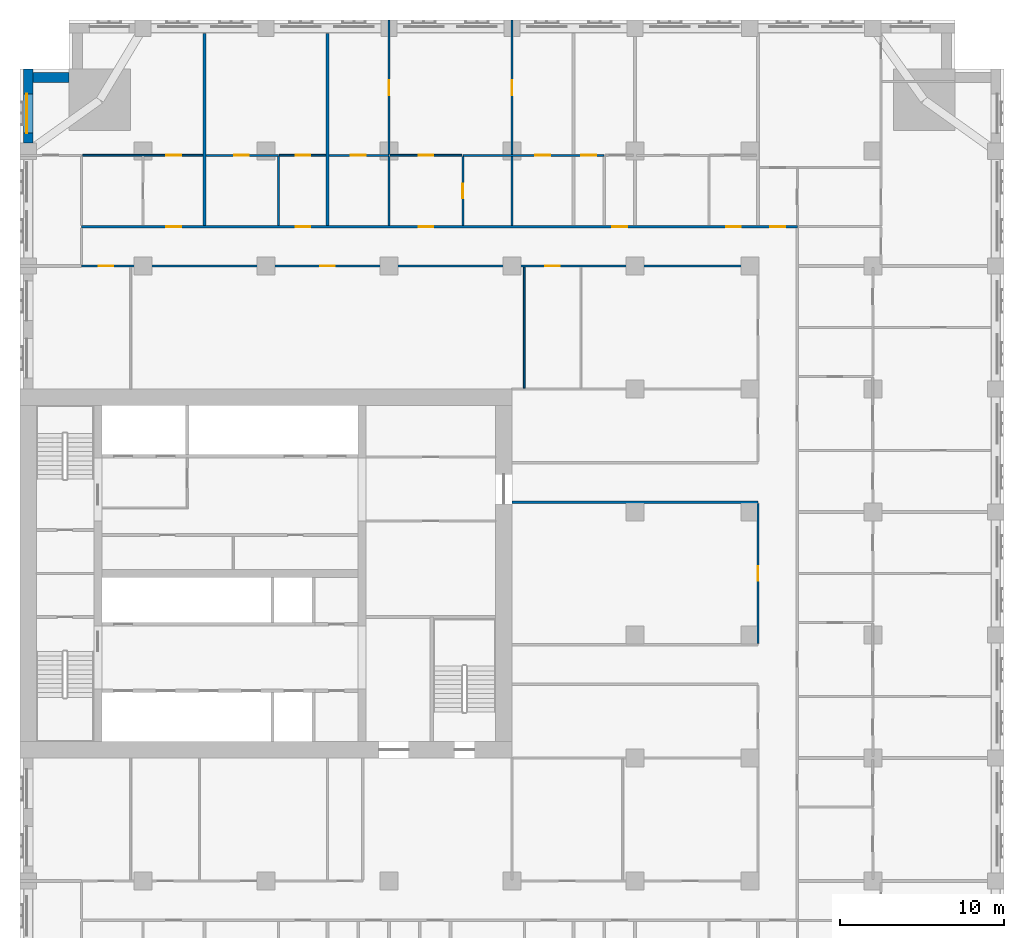
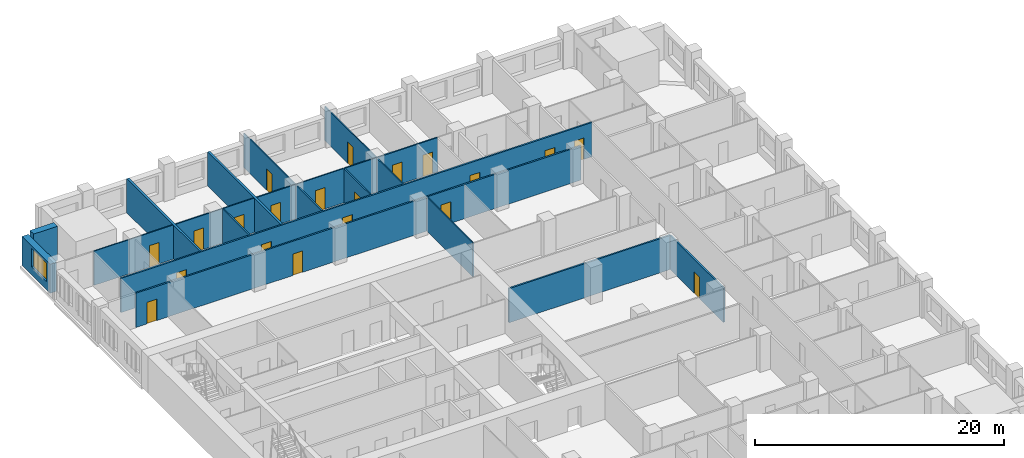
# One storey, part 9 of 14: 21 walls, 20 doors, 1 window, 21 openings.
"""IFC4 building model written with IfcOpenShell, lengths in metres."""

from ifc_helpers import new_model, si_unit, direction, frame, frame_2d, origin, place, context, subcontext, project, spatial, rectangle, extrude, material, layer, layer_set, type_object, element, fill, save


model = new_model("IFC4")

# Units and contexts
model_context = context("Model", 3, precision=1e-05, world=origin(), true_north=direction((0.0, 1.0)))
body_context = subcontext(model_context, "Body", "Model", "MODEL_VIEW")
ifc_project = project(units=[si_unit("LENGTHUNIT", "METRE"), si_unit("AREAUNIT", "SQUARE_METRE"), si_unit("VOLUMEUNIT", "CUBIC_METRE"), si_unit("PLANEANGLEUNIT", "RADIAN"), si_unit("MASSUNIT", "GRAM", prefix="KILO")], contexts=[model_context])

# Site, building, storey
site_placement = place(None, origin())
site = spatial("IfcSite", under=ifc_project, at=site_placement, CompositionType="ELEMENT")
building_placement = place(site_placement, origin())
building = spatial("IfcBuilding", under=site, at=building_placement, Name="Tamorin Gate", CompositionType="ELEMENT")
storey_placement = place(building_placement, frame((0.0, 0.0, 104.300048828125)))
storey = spatial("IfcBuildingStorey", under=building, at=storey_placement, Name="L25", CompositionType="ELEMENT", Elevation=104.300048828125)

# Wall
ifc_material_1 = material(Name="Precast concrete C40/50", Category="concrete")
ifc_layer_1 = layer(ifc_material_1, 0.60009765625)
ifc_layer_set_1 = layer_set([ifc_layer_1], Name="Precast concrete C40/50")
wall_type_1 = type_object("IfcWallType", Name="Board-marked concrete facade panel 600", PredefinedType="SOLIDWALL", material=ifc_layer_set_1)
wall_1_placement = place(storey_placement, frame((33.0, 101.5, 0.0), z_axis=(0.0, 0.0, 1.0), x_axis=(-1.0, 0.0, 0.0)))
element("IfcWall", 1, at=wall_1_placement, inside=storey, type_object=wall_type_1, Name="Facade panel", PredefinedType="SOLIDWALL", context=body_context, shape_type="SweptSolid", body=[
    extrude(rectangle(XDim=2.199951171875, YDim=0.60009765625, at=frame_2d((1.10009765625, 0.0))), origin(), (0.0, 0.0, 1.0), 3.349853515625),
])

# Wall, opening, window
wall_2_placement = place(storey_placement, frame((30.5, 102.0, 0.0), z_axis=(0.0, 0.0, 1.0), x_axis=(0.0, -1.0, 0.0)))
wall_2 = element("IfcWall", 2, at=wall_2_placement, inside=storey, type_object=wall_type_1, Name="Facade panel", PredefinedType="SOLIDWALL", context=body_context, shape_type="SweptSolid", body=[
    extrude(rectangle(XDim=4.5, YDim=0.60009765625, at=frame_2d((2.25, 0.0))), origin(), (0.0, 0.0, 1.0), 2.849853515625),
])
opening_1_placement = place(wall_2_placement, frame((1.5, 0.0, 0.800048828125)))
opening_1 = element("IfcOpeningElement", 3, at=opening_1_placement, cuts=wall_2, Name="Opening WN1", PredefinedType="OPENING", context=body_context, shape_type="SweptSolid", body=[
    extrude(rectangle(XDim=2.39990234375, YDim=1.800048828125, at=frame_2d((1.199951171875, 0.89990234375))), frame((0.0, 0.31005859375, 0.0), z_axis=(0.0, -1.0, 0.0), x_axis=(1.0, 0.0, 0.0)), (0.0, 0.0, 1.0), 0.6201171875),
])
ifc_material_2 = material(Name="Clear glass in aluminium frame", Category="aluminium")
window_type = type_object("IfcWindowType", Name="Deep-set window 2400x1800", PartitioningType="SINGLE_PANEL", PredefinedType="WINDOW", material=ifc_material_2)
window_placement = place(opening_1_placement, origin())
window = element("IfcWindow", 4, at=window_placement, inside=storey, type_object=window_type, Name="Deep-set window", OverallHeight=1.800048828125, OverallWidth=2.39990234375, PartitioningType="SINGLE_PANEL", PredefinedType="WINDOW", context=body_context, shape_type="SweptSolid", body=[
    extrude(rectangle(XDim=2.39990234375, YDim=1.800048828125, at=frame_2d((1.199951171875, 0.89990234375))), frame((0.0, -0.070068359375, 0.0), z_axis=(0.0, -1.0, 0.0), x_axis=(1.0, 0.0, 0.0)), (0.0, 0.0, 1.0), 0.06005859375),
])
fill(opening_1, window)

# Wall, openings, doors
ifc_material_3 = material(Name="Gypsum board partition")
ifc_layer_2 = layer(ifc_material_3, 0.14990234375)
ifc_layer_set_2 = layer_set([ifc_layer_2], Name="Corridor wall 150")
wall_type_2 = type_object("IfcWallType", Name="Corridor wall 150", PredefinedType="PARTITIONING", material=ifc_layer_set_2)
wall_3_placement = place(storey_placement, frame((33.75, 90.0, 0.0), z_axis=(0.0, 0.0, 1.0), x_axis=(1.0, 0.0, 0.0)))
wall_3 = element("IfcWall", 5, at=wall_3_placement, inside=storey, type_object=wall_type_2, Name="Corridor wall 150", PredefinedType="PARTITIONING", context=body_context, shape_type="SweptSolid", body=[
    extrude(rectangle(XDim=41.25, YDim=0.14990234375, at=frame_2d((20.625, 0.0))), origin(), (0.0, 0.0, 1.0), 3.349853515625),
])
opening_2_placement = place(wall_3_placement, frame((1.050048828125, 0.0, 0.0)))
opening_2 = element("IfcOpeningElement", 6, at=opening_2_placement, cuts=wall_3, Name="Opening DH8078", PredefinedType="OPENING", context=body_context, shape_type="SweptSolid", body=[
    extrude(rectangle(XDim=0.89990234375, YDim=2.10009765625, at=frame_2d((0.449951171875, 1.050048828125))), frame((0.0, 0.0849609375, 0.0), z_axis=(0.0, -1.0, 0.0), x_axis=(1.0, 0.0, 0.0)), (0.0, 0.0, 1.0), 0.169921875),
])
opening_3_placement = place(wall_3_placement, frame((14.550048828125, 0.0, 0.0)))
opening_3 = element("IfcOpeningElement", 7, at=opening_3_placement, cuts=wall_3, Name="Opening DH8079", PredefinedType="OPENING", context=body_context, shape_type="SweptSolid", body=[
    extrude(rectangle(XDim=0.89990234375, YDim=2.10009765625, at=frame_2d((0.449951171875, 1.050048828125))), frame((0.0, 0.0849609375, 0.0), z_axis=(0.0, -1.0, 0.0), x_axis=(1.0, 0.0, 0.0)), (0.0, 0.0, 1.0), 0.169921875),
])
opening_4_placement = place(wall_3_placement, frame((28.27490234375, 0.0, 0.0)))
opening_4 = element("IfcOpeningElement", 8, at=opening_4_placement, cuts=wall_3, Name="Opening DH8080", PredefinedType="OPENING", context=body_context, shape_type="SweptSolid", body=[
    extrude(rectangle(XDim=0.89990234375, YDim=2.10009765625, at=frame_2d((0.449951171875, 1.050048828125))), frame((0.0, 0.0849609375, 0.0), z_axis=(0.0, -1.0, 0.0), x_axis=(1.0, 0.0, 0.0)), (0.0, 0.0, 1.0), 0.169921875),
])
ifc_material_4 = material(Name="Timber door leaf", Category="wood")
door_type_1 = type_object("IfcDoorType", Name="Door 900 x 2100 FD30S", OperationType="NOTDEFINED", PredefinedType="DOOR", material=ifc_material_4)
door_1_placement = place(opening_2_placement, origin())
door_1 = element("IfcDoor", 9, at=door_1_placement, inside=storey, type_object=door_type_1, Name="Door DH8078", OperationType="SINGLE_SWING_RIGHT", OverallHeight=2.10009765625, OverallWidth=0.89990234375, PredefinedType="DOOR", context=body_context, shape_type="SweptSolid", body=[
    extrude(rectangle(XDim=0.89990234375, YDim=2.10009765625, at=frame_2d((0.449951171875, 1.050048828125))), frame((0.0, 0.02490234375, 0.0), z_axis=(0.0, -1.0, 0.0), x_axis=(1.0, 0.0, 0.0)), (0.0, 0.0, 1.0), 0.050048828125),
])
fill(opening_2, door_1)
door_2_placement = place(opening_3_placement, origin())
door_2 = element("IfcDoor", 10, at=door_2_placement, inside=storey, type_object=door_type_1, Name="Door DH8079", OperationType="SINGLE_SWING_RIGHT", OverallHeight=2.10009765625, OverallWidth=0.89990234375, PredefinedType="DOOR", context=body_context, shape_type="SweptSolid", body=[
    extrude(rectangle(XDim=0.89990234375, YDim=2.10009765625, at=frame_2d((0.449951171875, 1.050048828125))), frame((0.0, 0.02490234375, 0.0), z_axis=(0.0, -1.0, 0.0), x_axis=(1.0, 0.0, 0.0)), (0.0, 0.0, 1.0), 0.050048828125),
])
fill(opening_3, door_2)
door_3_placement = place(opening_4_placement, origin())
door_3 = element("IfcDoor", 11, at=door_3_placement, inside=storey, type_object=door_type_1, Name="Door DH8080", OperationType="SINGLE_SWING_RIGHT", OverallHeight=2.10009765625, OverallWidth=0.89990234375, PredefinedType="DOOR", context=body_context, shape_type="SweptSolid", body=[
    extrude(rectangle(XDim=0.89990234375, YDim=2.10009765625, at=frame_2d((0.449951171875, 1.050048828125))), frame((0.0, 0.02490234375, 0.0), z_axis=(0.0, -1.0, 0.0), x_axis=(1.0, 0.0, 0.0)), (0.0, 0.0, 1.0), 0.050048828125),
])
fill(opening_4, door_3)

wall_4_placement = place(storey_placement, frame((33.75, 92.39990234375, 0.0), z_axis=(0.0, 0.0, 1.0), x_axis=(1.0, 0.0, 0.0)))
wall_4 = element("IfcWall", 12, at=wall_4_placement, inside=storey, type_object=wall_type_2, Name="Corridor wall 150", PredefinedType="PARTITIONING", context=body_context, shape_type="SweptSolid", body=[
    extrude(rectangle(XDim=43.64990234375, YDim=0.14990234375, at=frame_2d((21.824951171875, 0.0))), origin(), (0.0, 0.0, 1.0), 3.349853515625),
])
opening_5_placement = place(wall_4_placement, frame((5.175048828125, 0.0, 0.0)))
opening_5 = element("IfcOpeningElement", 13, at=opening_5_placement, cuts=wall_4, Name="Opening DH8025", PredefinedType="OPENING", context=body_context, shape_type="SweptSolid", body=[
    extrude(rectangle(XDim=0.89990234375, YDim=2.10009765625, at=frame_2d((0.449951171875, 1.050048828125))), frame((0.0, 0.0849609375, 0.0), z_axis=(0.0, -1.0, 0.0), x_axis=(1.0, 0.0, 0.0)), (0.0, 0.0, 1.0), 0.169921875),
])
opening_6_placement = place(wall_4_placement, frame((13.050048828125, 0.0, 0.0)))
opening_6 = element("IfcOpeningElement", 14, at=opening_6_placement, cuts=wall_4, Name="Opening DH8028", PredefinedType="OPENING", context=body_context, shape_type="SweptSolid", body=[
    extrude(rectangle(XDim=0.89990234375, YDim=2.10009765625, at=frame_2d((0.449951171875, 1.050048828125))), frame((0.0, 0.0849609375, 0.0), z_axis=(0.0, -1.0, 0.0), x_axis=(1.0, 0.0, 0.0)), (0.0, 0.0, 1.0), 0.169921875),
])
opening_7_placement = place(wall_4_placement, frame((20.550048828125, 0.0, 0.0)))
opening_7 = element("IfcOpeningElement", 15, at=opening_7_placement, cuts=wall_4, Name="Opening DH8031", PredefinedType="OPENING", context=body_context, shape_type="SweptSolid", body=[
    extrude(rectangle(XDim=0.89990234375, YDim=2.10009765625, at=frame_2d((0.449951171875, 1.050048828125))), frame((0.0, 0.0849609375, 0.0), z_axis=(0.0, -1.0, 0.0), x_axis=(1.0, 0.0, 0.0)), (0.0, 0.0, 1.0), 0.169921875),
])
opening_8_placement = place(wall_4_placement, frame((32.362548828125, 0.0, 0.0)))
opening_8 = element("IfcOpeningElement", 16, at=opening_8_placement, cuts=wall_4, Name="Opening DH8038", PredefinedType="OPENING", context=body_context, shape_type="SweptSolid", body=[
    extrude(rectangle(XDim=0.89990234375, YDim=2.10009765625, at=frame_2d((0.449951171875, 1.050048828125))), frame((0.0, 0.0849609375, 0.0), z_axis=(0.0, -1.0, 0.0), x_axis=(1.0, 0.0, 0.0)), (0.0, 0.0, 1.0), 0.169921875),
])
opening_9_placement = place(wall_4_placement, frame((39.300048828125, 0.0, 0.0)))
opening_9 = element("IfcOpeningElement", 17, at=opening_9_placement, cuts=wall_4, Name="Opening DH8041", PredefinedType="OPENING", context=body_context, shape_type="SweptSolid", body=[
    extrude(rectangle(XDim=0.89990234375, YDim=2.10009765625, at=frame_2d((0.449951171875, 1.050048828125))), frame((0.0, 0.0849609375, 0.0), z_axis=(0.0, -1.0, 0.0), x_axis=(1.0, 0.0, 0.0)), (0.0, 0.0, 1.0), 0.169921875),
])
opening_10_placement = place(wall_4_placement, frame((42.0, 0.0, 0.0)))
opening_10 = element("IfcOpeningElement", 18, at=opening_10_placement, cuts=wall_4, Name="Opening DH8066", PredefinedType="OPENING", context=body_context, shape_type="SweptSolid", body=[
    extrude(rectangle(XDim=0.89990234375, YDim=2.10009765625, at=frame_2d((0.449951171875, 1.050048828125))), frame((0.0, 0.0849609375, 0.0), z_axis=(0.0, -1.0, 0.0), x_axis=(1.0, 0.0, 0.0)), (0.0, 0.0, 1.0), 0.169921875),
])
door_4_placement = place(opening_5_placement, origin())
door_4 = element("IfcDoor", 19, at=door_4_placement, inside=storey, type_object=door_type_1, Name="Door DH8025", OperationType="SINGLE_SWING_LEFT", OverallHeight=2.10009765625, OverallWidth=0.89990234375, PredefinedType="DOOR", context=body_context, shape_type="SweptSolid", body=[
    extrude(rectangle(XDim=0.89990234375, YDim=2.10009765625, at=frame_2d((0.449951171875, 1.050048828125))), frame((0.0, 0.02490234375, 0.0), z_axis=(0.0, -1.0, 0.0), x_axis=(1.0, 0.0, 0.0)), (0.0, 0.0, 1.0), 0.050048828125),
])
fill(opening_5, door_4)
door_5_placement = place(opening_6_placement, origin())
door_5 = element("IfcDoor", 20, at=door_5_placement, inside=storey, type_object=door_type_1, Name="Door DH8028", OperationType="SINGLE_SWING_LEFT", OverallHeight=2.10009765625, OverallWidth=0.89990234375, PredefinedType="DOOR", context=body_context, shape_type="SweptSolid", body=[
    extrude(rectangle(XDim=0.89990234375, YDim=2.10009765625, at=frame_2d((0.449951171875, 1.050048828125))), frame((0.0, 0.02490234375, 0.0), z_axis=(0.0, -1.0, 0.0), x_axis=(1.0, 0.0, 0.0)), (0.0, 0.0, 1.0), 0.050048828125),
])
fill(opening_6, door_5)
door_6_placement = place(opening_7_placement, origin())
door_6 = element("IfcDoor", 21, at=door_6_placement, inside=storey, type_object=door_type_1, Name="Door DH8031", OperationType="SINGLE_SWING_LEFT", OverallHeight=2.10009765625, OverallWidth=0.89990234375, PredefinedType="DOOR", context=body_context, shape_type="SweptSolid", body=[
    extrude(rectangle(XDim=0.89990234375, YDim=2.10009765625, at=frame_2d((0.449951171875, 1.050048828125))), frame((0.0, 0.02490234375, 0.0), z_axis=(0.0, -1.0, 0.0), x_axis=(1.0, 0.0, 0.0)), (0.0, 0.0, 1.0), 0.050048828125),
])
fill(opening_7, door_6)
door_7_placement = place(opening_8_placement, origin())
door_7 = element("IfcDoor", 22, at=door_7_placement, inside=storey, type_object=door_type_1, Name="Door DH8038", OperationType="SINGLE_SWING_LEFT", OverallHeight=2.10009765625, OverallWidth=0.89990234375, PredefinedType="DOOR", context=body_context, shape_type="SweptSolid", body=[
    extrude(rectangle(XDim=0.89990234375, YDim=2.10009765625, at=frame_2d((0.449951171875, 1.050048828125))), frame((0.0, 0.02490234375, 0.0), z_axis=(0.0, -1.0, 0.0), x_axis=(1.0, 0.0, 0.0)), (0.0, 0.0, 1.0), 0.050048828125),
])
fill(opening_8, door_7)
door_8_placement = place(opening_9_placement, origin())
door_8 = element("IfcDoor", 23, at=door_8_placement, inside=storey, type_object=door_type_1, Name="Door DH8041", OperationType="SINGLE_SWING_LEFT", OverallHeight=2.10009765625, OverallWidth=0.89990234375, PredefinedType="DOOR", context=body_context, shape_type="SweptSolid", body=[
    extrude(rectangle(XDim=0.89990234375, YDim=2.10009765625, at=frame_2d((0.449951171875, 1.050048828125))), frame((0.0, 0.02490234375, 0.0), z_axis=(0.0, -1.0, 0.0), x_axis=(1.0, 0.0, 0.0)), (0.0, 0.0, 1.0), 0.050048828125),
])
fill(opening_9, door_8)
door_9_placement = place(opening_10_placement, origin())
door_9 = element("IfcDoor", 24, at=door_9_placement, inside=storey, type_object=door_type_1, Name="Door DH8066", OperationType="SINGLE_SWING_RIGHT", OverallHeight=2.10009765625, OverallWidth=0.89990234375, PredefinedType="DOOR", context=body_context, shape_type="SweptSolid", body=[
    extrude(rectangle(XDim=0.89990234375, YDim=2.10009765625, at=frame_2d((0.449951171875, 1.050048828125))), frame((0.0, 0.02490234375, 0.0), z_axis=(0.0, -1.0, 0.0), x_axis=(1.0, 0.0, 0.0)), (0.0, 0.0, 1.0), 0.050048828125),
])
fill(opening_10, door_9)

# Wall, opening, door
wall_5_placement = place(storey_placement, frame((75.0, 66.97509765625, 0.0), z_axis=(0.0, 0.0, 1.0), x_axis=(0.0, 1.0, 0.0)))
wall_5 = element("IfcWall", 25, at=wall_5_placement, inside=storey, type_object=wall_type_2, Name="Corridor wall 150", PredefinedType="PARTITIONING", context=body_context, shape_type="SweptSolid", body=[
    extrude(rectangle(XDim=8.5498046875, YDim=0.14990234375, at=frame_2d((4.27490234375, 0.0))), origin(), (0.0, 0.0, 1.0), 3.349853515625),
])
opening_11_placement = place(wall_5_placement, frame((3.824951171875, 0.0, 0.0)))
opening_11 = element("IfcOpeningElement", 26, at=opening_11_placement, cuts=wall_5, Name="Opening DH8083", PredefinedType="OPENING", context=body_context, shape_type="SweptSolid", body=[
    extrude(rectangle(XDim=0.89990234375, YDim=2.10009765625, at=frame_2d((0.449951171875, 1.050048828125))), frame((0.0, 0.0849609375, 0.0), z_axis=(0.0, -1.0, 0.0), x_axis=(1.0, 0.0, 0.0)), (0.0, 0.0, 1.0), 0.169921875),
])
door_10_placement = place(opening_11_placement, origin())
door_10 = element("IfcDoor", 27, at=door_10_placement, inside=storey, type_object=door_type_1, Name="Door DH8083", OperationType="SINGLE_SWING_LEFT", OverallHeight=2.10009765625, OverallWidth=0.89990234375, PredefinedType="DOOR", context=body_context, shape_type="SweptSolid", body=[
    extrude(rectangle(XDim=0.89990234375, YDim=2.10009765625, at=frame_2d((0.449951171875, 1.050048828125))), frame((0.0, 0.02490234375, 0.0), z_axis=(0.0, -1.0, 0.0), x_axis=(1.0, 0.0, 0.0)), (0.0, 0.0, 1.0), 0.050048828125),
])
fill(opening_11, door_10)

# Walls
ifc_layer_3 = layer(ifc_material_3, 0.199951171875)
ifc_layer_set_3 = layer_set([ifc_layer_3], Name="Demising wall 200")
wall_type_3 = type_object("IfcWallType", Name="Demising wall 200", PredefinedType="PARTITIONING", material=ifc_layer_set_3)
for number, where, z_axis, x_axis, name in (
    (28, (41.25, 92.47509765625, 0.0), (0.0, 0.0, 1.0), (0.0, 1.0, 0.0), "Demising wall 200"),
    (29, (48.75, 92.47509765625, 0.0), (0.0, 0.0, 1.0), (0.0, 1.0, 0.0), "Demising wall 200"),
):
    element("IfcWall", number, at=place(storey_placement, frame(where, z_axis=z_axis, x_axis=x_axis)), inside=storey, type_object=wall_type_3, Name=name, PredefinedType="PARTITIONING", context=body_context, shape_type="SweptSolid", body=[
        extrude(rectangle(XDim=11.71484375, YDim=0.199951171875, at=frame_2d((5.857421875, 0.0))), origin(), (0.0, 0.0, 1.0), 3.349853515625),
    ])
ifc_layer_4 = layer(ifc_material_3, 0.14990234375)
ifc_layer_set_4 = layer_set([ifc_layer_4], Name="Lobby wall 150")
wall_type_4 = type_object("IfcWallType", Name="Lobby wall 150", PredefinedType="PARTITIONING", material=ifc_layer_set_4)
wall_6_placement = place(storey_placement, frame((60.0, 75.60009765625, 0.0), z_axis=(0.0, 0.0, 1.0), x_axis=(1.0, 0.0, 0.0)))
element("IfcWall", 30, at=wall_6_placement, inside=storey, type_object=wall_type_4, Name="Lobby wall 150", PredefinedType="PARTITIONING", context=body_context, shape_type="SweptSolid", body=[
    extrude(rectangle(XDim=15.0, YDim=0.14990234375, at=frame_2d((7.5, 0.0))), origin(), (0.0, 0.0, 1.0), 3.349853515625),
])

# Wall, opening, door
ifc_layer_5 = layer(ifc_material_3, 0.10009765625)
ifc_layer_set_5 = layer_set([ifc_layer_5], Name="Room partition 100")
wall_type_5 = type_object("IfcWallType", Name="Room partition 100", PredefinedType="PARTITIONING", material=ifc_layer_set_5)
wall_7_placement = place(storey_placement, frame((33.8125, 96.75, 0.0), z_axis=(0.0, 0.0, 1.0), x_axis=(1.0, 0.0, 0.0)))
wall_7 = element("IfcWall", 31, at=wall_7_placement, inside=storey, type_object=wall_type_5, Name="Room partition 100", PredefinedType="PARTITIONING", context=body_context, shape_type="SweptSolid", body=[
    extrude(rectangle(XDim=7.33740234375, YDim=0.10009765625, at=frame_2d((3.668701171875, 0.0))), origin(), (0.0, 0.0, 1.0), 3.349853515625),
])
opening_12_placement = place(wall_7_placement, frame((5.112548828125, 0.0, 0.0)))
opening_12 = element("IfcOpeningElement", 32, at=opening_12_placement, cuts=wall_7, Name="Opening DH8026", PredefinedType="OPENING", context=body_context, shape_type="SweptSolid", body=[
    extrude(rectangle(XDim=0.89990234375, YDim=2.10009765625, at=frame_2d((0.449951171875, 1.050048828125))), frame((0.0, 0.06005859375, 0.0), z_axis=(0.0, -1.0, 0.0), x_axis=(1.0, 0.0, 0.0)), (0.0, 0.0, 1.0), 0.1201171875),
])
door_type_2 = type_object("IfcDoorType", Name="Door 900 x 2100", OperationType="NOTDEFINED", PredefinedType="DOOR", material=ifc_material_4)
door_11_placement = place(opening_12_placement, origin())
door_11 = element("IfcDoor", 33, at=door_11_placement, inside=storey, type_object=door_type_2, Name="Door DH8026", OperationType="SINGLE_SWING_RIGHT", OverallHeight=2.10009765625, OverallWidth=0.89990234375, PredefinedType="DOOR", context=body_context, shape_type="SweptSolid", body=[
    extrude(rectangle(XDim=0.89990234375, YDim=2.10009765625, at=frame_2d((0.449951171875, 1.050048828125))), frame((0.0, 0.02490234375, 0.0), z_axis=(0.0, -1.0, 0.0), x_axis=(1.0, 0.0, 0.0)), (0.0, 0.0, 1.0), 0.050048828125),
])
fill(opening_12, door_11)

wall_8_placement = place(storey_placement, frame((45.8125, 96.75, 0.0), z_axis=(0.0, 0.0, 1.0), x_axis=(1.0, 0.0, 0.0)))
wall_8 = element("IfcWall", 34, at=wall_8_placement, inside=storey, type_object=wall_type_5, Name="Room partition 100", PredefinedType="PARTITIONING", context=body_context, shape_type="SweptSolid", body=[
    extrude(rectangle(XDim=2.83740234375, YDim=0.10009765625, at=frame_2d((1.418701171875, 0.0))), origin(), (0.0, 0.0, 1.0), 3.349853515625),
])
opening_13_placement = place(wall_8_placement, frame((0.987548828125, 0.0, 0.0)))
opening_13 = element("IfcOpeningElement", 35, at=opening_13_placement, cuts=wall_8, Name="Opening DH8029", PredefinedType="OPENING", context=body_context, shape_type="SweptSolid", body=[
    extrude(rectangle(XDim=0.89990234375, YDim=2.10009765625, at=frame_2d((0.449951171875, 1.050048828125))), frame((0.0, 0.06005859375, 0.0), z_axis=(0.0, -1.0, 0.0), x_axis=(1.0, 0.0, 0.0)), (0.0, 0.0, 1.0), 0.1201171875),
])
door_12_placement = place(opening_13_placement, origin())
door_12 = element("IfcDoor", 36, at=door_12_placement, inside=storey, type_object=door_type_2, Name="Door DH8029", OperationType="SINGLE_SWING_RIGHT", OverallHeight=2.10009765625, OverallWidth=0.89990234375, PredefinedType="DOOR", context=body_context, shape_type="SweptSolid", body=[
    extrude(rectangle(XDim=0.89990234375, YDim=2.10009765625, at=frame_2d((0.449951171875, 1.050048828125))), frame((0.0, 0.02490234375, 0.0), z_axis=(0.0, -1.0, 0.0), x_axis=(1.0, 0.0, 0.0)), (0.0, 0.0, 1.0), 0.050048828125),
])
fill(opening_13, door_12)

wall_9_placement = place(storey_placement, frame((52.5625, 96.75, 0.0), z_axis=(0.0, 0.0, 1.0), x_axis=(1.0, 0.0, 0.0)))
wall_9 = element("IfcWall", 37, at=wall_9_placement, inside=storey, type_object=wall_type_5, Name="Room partition 100", PredefinedType="PARTITIONING", context=body_context, shape_type="SweptSolid", body=[
    extrude(rectangle(XDim=4.375, YDim=0.10009765625, at=frame_2d((2.1875, 0.0))), origin(), (0.0, 0.0, 1.0), 3.349853515625),
])
opening_14_placement = place(wall_9_placement, frame((1.737548828125, 0.0, 0.0)))
opening_14 = element("IfcOpeningElement", 38, at=opening_14_placement, cuts=wall_9, Name="Opening DH8032", PredefinedType="OPENING", context=body_context, shape_type="SweptSolid", body=[
    extrude(rectangle(XDim=0.89990234375, YDim=2.10009765625, at=frame_2d((0.449951171875, 1.050048828125))), frame((0.0, 0.06005859375, 0.0), z_axis=(0.0, -1.0, 0.0), x_axis=(1.0, 0.0, 0.0)), (0.0, 0.0, 1.0), 0.1201171875),
])
door_13_placement = place(opening_14_placement, origin())
door_13 = element("IfcDoor", 39, at=door_13_placement, inside=storey, type_object=door_type_2, Name="Door DH8032", OperationType="SINGLE_SWING_RIGHT", OverallHeight=2.10009765625, OverallWidth=0.89990234375, PredefinedType="DOOR", context=body_context, shape_type="SweptSolid", body=[
    extrude(rectangle(XDim=0.89990234375, YDim=2.10009765625, at=frame_2d((0.449951171875, 1.050048828125))), frame((0.0, 0.02490234375, 0.0), z_axis=(0.0, -1.0, 0.0), x_axis=(1.0, 0.0, 0.0)), (0.0, 0.0, 1.0), 0.050048828125),
])
fill(opening_14, door_13)

wall_10_placement = place(storey_placement, frame((52.5, 96.8125, 0.0), z_axis=(0.0, 0.0, 1.0), x_axis=(0.0, 1.0, 0.0)))
wall_10 = element("IfcWall", 40, at=wall_10_placement, inside=storey, type_object=wall_type_5, Name="Room partition 100", PredefinedType="PARTITIONING", context=body_context, shape_type="SweptSolid", body=[
    extrude(rectangle(XDim=8.1875, YDim=0.10009765625, at=frame_2d((4.09375, 0.0))), origin(), (0.0, 0.0, 1.0), 3.349853515625),
])
opening_15_placement = place(wall_10_placement, frame((3.612548828125, 0.0, 0.0)))
opening_15 = element("IfcOpeningElement", 41, at=opening_15_placement, cuts=wall_10, Name="Opening DH8035", PredefinedType="OPENING", context=body_context, shape_type="SweptSolid", body=[
    extrude(rectangle(XDim=0.89990234375, YDim=2.10009765625, at=frame_2d((0.449951171875, 1.050048828125))), frame((0.0, 0.06005859375, 0.0), z_axis=(0.0, -1.0, 0.0), x_axis=(1.0, 0.0, 0.0)), (0.0, 0.0, 1.0), 0.1201171875),
])
door_14_placement = place(opening_15_placement, origin())
door_14 = element("IfcDoor", 42, at=door_14_placement, inside=storey, type_object=door_type_2, Name="Door DH8035", OperationType="SINGLE_SWING_LEFT", OverallHeight=2.10009765625, OverallWidth=0.89990234375, PredefinedType="DOOR", context=body_context, shape_type="SweptSolid", body=[
    extrude(rectangle(XDim=0.89990234375, YDim=2.10009765625, at=frame_2d((0.449951171875, 1.050048828125))), frame((0.0, 0.02490234375, 0.0), z_axis=(0.0, -1.0, 0.0), x_axis=(1.0, 0.0, 0.0)), (0.0, 0.0, 1.0), 0.050048828125),
])
fill(opening_15, door_14)

wall_11_placement = place(storey_placement, frame((60.0, 96.8125, 0.0), z_axis=(0.0, 0.0, 1.0), x_axis=(0.0, 1.0, 0.0)))
wall_11 = element("IfcWall", 43, at=wall_11_placement, inside=storey, type_object=wall_type_5, Name="Room partition 100", PredefinedType="PARTITIONING", context=body_context, shape_type="SweptSolid", body=[
    extrude(rectangle(XDim=8.1875, YDim=0.10009765625, at=frame_2d((4.09375, 0.0))), origin(), (0.0, 0.0, 1.0), 3.349853515625),
])
opening_16_placement = place(wall_11_placement, frame((3.612548828125, 0.0, 0.0)))
opening_16 = element("IfcOpeningElement", 44, at=opening_16_placement, cuts=wall_11, Name="Opening DH8036", PredefinedType="OPENING", context=body_context, shape_type="SweptSolid", body=[
    extrude(rectangle(XDim=0.89990234375, YDim=2.10009765625, at=frame_2d((0.449951171875, 1.050048828125))), frame((0.0, 0.06005859375, 0.0), z_axis=(0.0, -1.0, 0.0), x_axis=(1.0, 0.0, 0.0)), (0.0, 0.0, 1.0), 0.1201171875),
])
door_15_placement = place(opening_16_placement, origin())
door_15 = element("IfcDoor", 45, at=door_15_placement, inside=storey, type_object=door_type_2, Name="Door DH8036", OperationType="SINGLE_SWING_LEFT", OverallHeight=2.10009765625, OverallWidth=0.89990234375, PredefinedType="DOOR", context=body_context, shape_type="SweptSolid", body=[
    extrude(rectangle(XDim=0.89990234375, YDim=2.10009765625, at=frame_2d((0.449951171875, 1.050048828125))), frame((0.0, 0.02490234375, 0.0), z_axis=(0.0, -1.0, 0.0), x_axis=(1.0, 0.0, 0.0)), (0.0, 0.0, 1.0), 0.050048828125),
])
fill(opening_16, door_15)

# Wall
wall_12_placement = place(storey_placement, frame((60.75, 82.550048828125, 0.0), z_axis=(0.0, 0.0, 1.0), x_axis=(0.0, 1.0, 0.0)))
element("IfcWall", 46, at=wall_12_placement, inside=storey, type_object=wall_type_5, Name="Room partition 100", PredefinedType="PARTITIONING", context=body_context, shape_type="SweptSolid", body=[
    extrude(rectangle(XDim=7.375, YDim=0.10009765625, at=frame_2d((3.6875, 0.0))), origin(), (0.0, 0.0, 1.0), 3.349853515625),
])

# Wall, opening, door
ifc_layer_6 = layer(ifc_material_3, 0.125)
ifc_layer_set_6 = layer_set([ifc_layer_6], Name="Wet wall 125")
wall_type_6 = type_object("IfcWallType", Name="Wet wall 125", PredefinedType="PARTITIONING", material=ifc_layer_set_6)
wall_13_placement = place(storey_placement, frame((41.35009765625, 96.75, 0.0), z_axis=(0.0, 0.0, 1.0), x_axis=(1.0, 0.0, 0.0)))
wall_13 = element("IfcWall", 47, at=wall_13_placement, inside=storey, type_object=wall_type_6, Name="Wet wall 125", PredefinedType="PARTITIONING", context=body_context, shape_type="SweptSolid", body=[
    extrude(rectangle(XDim=4.39990234375, YDim=0.125, at=frame_2d((2.199951171875, 0.0))), origin(), (0.0, 0.0, 1.0), 3.349853515625),
])
opening_17_placement = place(wall_13_placement, frame((1.699951171875, 0.0, 0.0)))
opening_17 = element("IfcOpeningElement", 48, at=opening_17_placement, cuts=wall_13, Name="Opening DH8027", PredefinedType="OPENING", context=body_context, shape_type="SweptSolid", body=[
    extrude(rectangle(XDim=0.89990234375, YDim=2.10009765625, at=frame_2d((0.449951171875, 1.050048828125))), frame((0.0, 0.072509765625, 0.0), z_axis=(0.0, -1.0, 0.0), x_axis=(1.0, 0.0, 0.0)), (0.0, 0.0, 1.0), 0.14501953125),
])
door_16_placement = place(opening_17_placement, origin())
door_16 = element("IfcDoor", 49, at=door_16_placement, inside=storey, type_object=door_type_2, Name="Door DH8027", OperationType="SINGLE_SWING_RIGHT", OverallHeight=2.10009765625, OverallWidth=0.89990234375, PredefinedType="DOOR", context=body_context, shape_type="SweptSolid", body=[
    extrude(rectangle(XDim=0.89990234375, YDim=2.10009765625, at=frame_2d((0.449951171875, 1.050048828125))), frame((0.0, 0.02490234375, 0.0), z_axis=(0.0, -1.0, 0.0), x_axis=(1.0, 0.0, 0.0)), (0.0, 0.0, 1.0), 0.050048828125),
])
fill(opening_17, door_16)

wall_14_placement = place(storey_placement, frame((48.85009765625, 96.75, 0.0), z_axis=(0.0, 0.0, 1.0), x_axis=(1.0, 0.0, 0.0)))
wall_14 = element("IfcWall", 50, at=wall_14_placement, inside=storey, type_object=wall_type_6, Name="Wet wall 125", PredefinedType="PARTITIONING", context=body_context, shape_type="SweptSolid", body=[
    extrude(rectangle(XDim=3.64990234375, YDim=0.125, at=frame_2d((1.824951171875, 0.0))), origin(), (0.0, 0.0, 1.0), 3.349853515625),
])
opening_18_placement = place(wall_14_placement, frame((1.324951171875, 0.0, 0.0)))
opening_18 = element("IfcOpeningElement", 51, at=opening_18_placement, cuts=wall_14, Name="Opening DH8030", PredefinedType="OPENING", context=body_context, shape_type="SweptSolid", body=[
    extrude(rectangle(XDim=0.89990234375, YDim=2.10009765625, at=frame_2d((0.449951171875, 1.050048828125))), frame((0.0, 0.072509765625, 0.0), z_axis=(0.0, -1.0, 0.0), x_axis=(1.0, 0.0, 0.0)), (0.0, 0.0, 1.0), 0.14501953125),
])
door_17_placement = place(opening_18_placement, origin())
door_17 = element("IfcDoor", 52, at=door_17_placement, inside=storey, type_object=door_type_2, Name="Door DH8030", OperationType="SINGLE_SWING_RIGHT", OverallHeight=2.10009765625, OverallWidth=0.89990234375, PredefinedType="DOOR", context=body_context, shape_type="SweptSolid", body=[
    extrude(rectangle(XDim=0.89990234375, YDim=2.10009765625, at=frame_2d((0.449951171875, 1.050048828125))), frame((0.0, 0.02490234375, 0.0), z_axis=(0.0, -1.0, 0.0), x_axis=(1.0, 0.0, 0.0)), (0.0, 0.0, 1.0), 0.050048828125),
])
fill(opening_18, door_17)

# Wall, openings, doors
wall_15_placement = place(storey_placement, frame((57.0, 96.75, 0.0), z_axis=(0.0, 0.0, 1.0), x_axis=(1.0, 0.0, 0.0)))
wall_15 = element("IfcWall", 53, at=wall_15_placement, inside=storey, type_object=wall_type_6, Name="Wet wall 125", PredefinedType="PARTITIONING", context=body_context, shape_type="SweptSolid", body=[
    extrude(rectangle(XDim=8.625, YDim=0.125, at=frame_2d((4.3125, 0.0))), origin(), (0.0, 0.0, 1.0), 3.349853515625),
])
opening_19_placement = place(wall_15_placement, frame((4.425048828125, 0.0, 0.0)))
opening_19 = element("IfcOpeningElement", 54, at=opening_19_placement, cuts=wall_15, Name="Opening DH8034", PredefinedType="OPENING", context=body_context, shape_type="SweptSolid", body=[
    extrude(rectangle(XDim=0.89990234375, YDim=2.10009765625, at=frame_2d((0.449951171875, 1.050048828125))), frame((0.0, 0.072509765625, 0.0), z_axis=(0.0, -1.0, 0.0), x_axis=(1.0, 0.0, 0.0)), (0.0, 0.0, 1.0), 0.14501953125),
])
opening_20_placement = place(wall_15_placement, frame((7.237548828125, 0.0, 0.0)))
opening_20 = element("IfcOpeningElement", 55, at=opening_20_placement, cuts=wall_15, Name="Opening DH8037", PredefinedType="OPENING", context=body_context, shape_type="SweptSolid", body=[
    extrude(rectangle(XDim=0.89990234375, YDim=2.10009765625, at=frame_2d((0.449951171875, 1.050048828125))), frame((0.0, 0.072509765625, 0.0), z_axis=(0.0, -1.0, 0.0), x_axis=(1.0, 0.0, 0.0)), (0.0, 0.0, 1.0), 0.14501953125),
])
door_18_placement = place(opening_19_placement, origin())
door_18 = element("IfcDoor", 56, at=door_18_placement, inside=storey, type_object=door_type_2, Name="Door DH8034", OperationType="SINGLE_SWING_RIGHT", OverallHeight=2.10009765625, OverallWidth=0.89990234375, PredefinedType="DOOR", context=body_context, shape_type="SweptSolid", body=[
    extrude(rectangle(XDim=0.89990234375, YDim=2.10009765625, at=frame_2d((0.449951171875, 1.050048828125))), frame((0.0, 0.02490234375, 0.0), z_axis=(0.0, -1.0, 0.0), x_axis=(1.0, 0.0, 0.0)), (0.0, 0.0, 1.0), 0.050048828125),
])
fill(opening_19, door_18)
door_19_placement = place(opening_20_placement, origin())
door_19 = element("IfcDoor", 57, at=door_19_placement, inside=storey, type_object=door_type_2, Name="Door DH8037", OperationType="SINGLE_SWING_RIGHT", OverallHeight=2.10009765625, OverallWidth=0.89990234375, PredefinedType="DOOR", context=body_context, shape_type="SweptSolid", body=[
    extrude(rectangle(XDim=0.89990234375, YDim=2.10009765625, at=frame_2d((0.449951171875, 1.050048828125))), frame((0.0, 0.02490234375, 0.0), z_axis=(0.0, -1.0, 0.0), x_axis=(1.0, 0.0, 0.0)), (0.0, 0.0, 1.0), 0.050048828125),
])
fill(opening_20, door_19)

# Walls
for number, where, z_axis, x_axis, name in (
    (58, (45.75, 92.47509765625, 0.0), (0.0, 0.0, 1.0), (0.0, 1.0, 0.0), "Wet wall 125"),
    (59, (52.5, 92.47509765625, 0.0), (0.0, 0.0, 1.0), (0.0, 1.0, 0.0), "Wet wall 125"),
):
    element("IfcWall", number, at=place(storey_placement, frame(where, z_axis=z_axis, x_axis=x_axis)), inside=storey, type_object=wall_type_6, Name=name, PredefinedType="PARTITIONING", context=body_context, shape_type="SweptSolid", body=[
        extrude(rectangle(XDim=4.21240234375, YDim=0.125, at=frame_2d((2.106201171875, 0.0))), origin(), (0.0, 0.0, 1.0), 3.349853515625),
    ])

# Wall, opening, door
wall_16_placement = place(storey_placement, frame((57.0, 92.47509765625, 0.0), z_axis=(0.0, 0.0, 1.0), x_axis=(0.0, 1.0, 0.0)))
wall_16 = element("IfcWall", 60, at=wall_16_placement, inside=storey, type_object=wall_type_6, Name="Wet wall 125", PredefinedType="PARTITIONING", context=body_context, shape_type="SweptSolid", body=[
    extrude(rectangle(XDim=4.21240234375, YDim=0.125, at=frame_2d((2.106201171875, 0.0))), origin(), (0.0, 0.0, 1.0), 3.349853515625),
])
opening_21_placement = place(wall_16_placement, frame((1.64990234375, 0.0, 0.0)))
opening_21 = element("IfcOpeningElement", 61, at=opening_21_placement, cuts=wall_16, Name="Opening DH8033", PredefinedType="OPENING", context=body_context, shape_type="SweptSolid", body=[
    extrude(rectangle(XDim=0.89990234375, YDim=2.10009765625, at=frame_2d((0.449951171875, 1.050048828125))), frame((0.0, 0.072509765625, 0.0), z_axis=(0.0, -1.0, 0.0), x_axis=(1.0, 0.0, 0.0)), (0.0, 0.0, 1.0), 0.14501953125),
])
door_20_placement = place(opening_21_placement, origin())
door_20 = element("IfcDoor", 62, at=door_20_placement, inside=storey, type_object=door_type_2, Name="Door DH8033", OperationType="SINGLE_SWING_LEFT", OverallHeight=2.10009765625, OverallWidth=0.89990234375, PredefinedType="DOOR", context=body_context, shape_type="SweptSolid", body=[
    extrude(rectangle(XDim=0.89990234375, YDim=2.10009765625, at=frame_2d((0.449951171875, 1.050048828125))), frame((0.0, 0.02490234375, 0.0), z_axis=(0.0, -1.0, 0.0), x_axis=(1.0, 0.0, 0.0)), (0.0, 0.0, 1.0), 0.050048828125),
])
fill(opening_21, door_20)

# Wall
wall_17_placement = place(storey_placement, frame((60.0, 92.47509765625, 0.0), z_axis=(0.0, 0.0, 1.0), x_axis=(0.0, 1.0, 0.0)))
element("IfcWall", 63, at=wall_17_placement, inside=storey, type_object=wall_type_6, Name="Wet wall 125", PredefinedType="PARTITIONING", context=body_context, shape_type="SweptSolid", body=[
    extrude(rectangle(XDim=4.21240234375, YDim=0.125, at=frame_2d((2.106201171875, 0.0))), origin(), (0.0, 0.0, 1.0), 3.349853515625),
])

save(model, "model.ifc")
